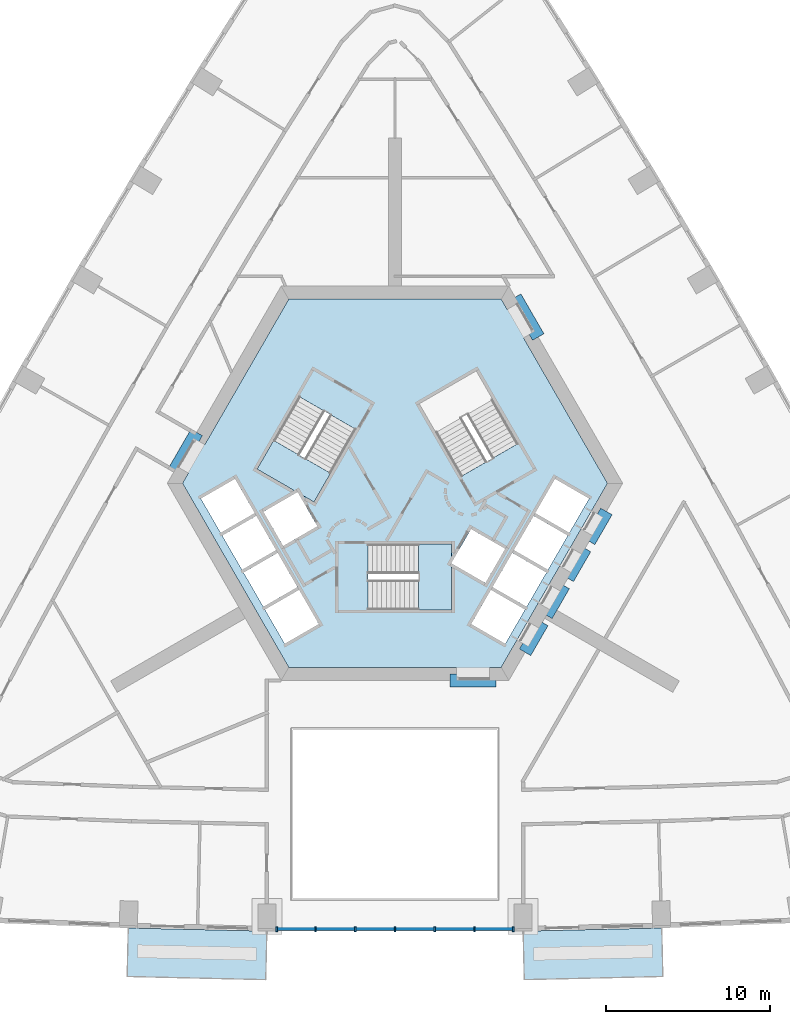
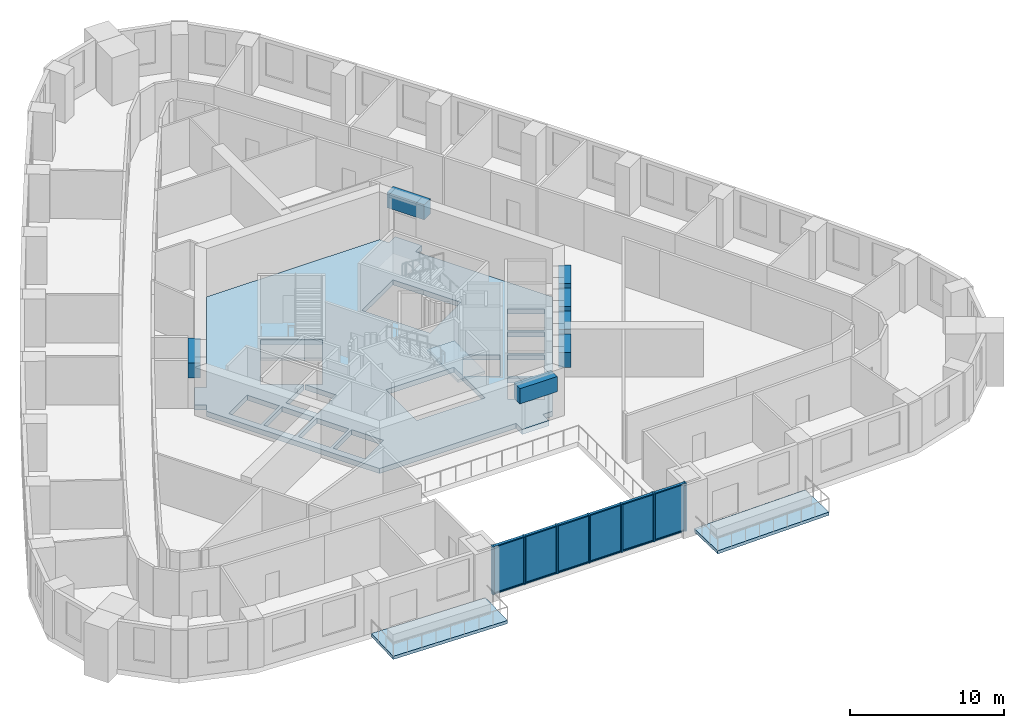
# One storey, part 2 of 12: 19 members, 7 beams, 6 plates, 5 slabs, 3 elements without a shape of their own.
"""IFC4 building model written with IfcOpenShell, lengths in metres."""

from ifc_helpers import new_model, si_unit, direction, frame, origin, origin_2d, place, context, subcontext, project, spatial, polyline, rectangle, outline, extrude, material, layer, layer_set, material_profile, profile_set, type_object, element, aggregate, save


model = new_model("IFC4")

# Units and contexts
model_context = context("Model", 3, precision=1e-05, world=origin(), true_north=direction((0.0, 1.0)))
body_context = subcontext(model_context, "Body", "Model", "MODEL_VIEW")
ifc_project = project(units=[si_unit("LENGTHUNIT", "METRE"), si_unit("AREAUNIT", "SQUARE_METRE"), si_unit("VOLUMEUNIT", "CUBIC_METRE"), si_unit("PLANEANGLEUNIT", "RADIAN"), si_unit("MASSUNIT", "GRAM", prefix="KILO")], contexts=[model_context])

# Site, building, storey
site_placement = place(None, origin())
site = spatial("IfcSite", under=ifc_project, at=site_placement, CompositionType="ELEMENT")
building_placement = place(site_placement, origin())
building = spatial("IfcBuilding", under=site, at=building_placement, Name="Entoto Arch Interchange Tower", CompositionType="ELEMENT")
storey_placement = place(building_placement, frame((0.0, 0.0, 155.0)))
storey = spatial("IfcBuildingStorey", under=building, at=storey_placement, Name="L34", CompositionType="ELEMENT", Elevation=155.0)

# Beams
ifc_material_1 = material(Name="Concrete C50/60", Category="concrete")
ifc_material_profile_1 = material_profile(ifc_material_1, rectangle(XDim=0.800048828125, YDim=1.199951171875, at=origin_2d()))
ifc_profile_set_1 = profile_set([ifc_material_profile_1], Name="Concrete C50/60")
beam_type = type_object("IfcBeamType", Name="Coupling beam RC 800x1200 C50/60", PredefinedType="BEAM", material=ifc_profile_set_1)
for number, where, z_axis, x_axis, name in (
    (1, (8.717041015625, 11.402099609375, 3.0), (-0.500200581029, 0.865909567298, 0.0), (-0.865909567298, -0.500200581029, 0.0), "Coupling beam NE L34"),
    (2, (-12.06689453125, 5.597900390625, 3.0), (-0.500200581029, -0.865909567298, 0.0), (0.865909567298, -0.500200581029, 0.0), "Coupling beam NW L34"),
):
    element("IfcBeam", number, at=place(storey_placement, frame(where, z_axis=z_axis, x_axis=x_axis)), inside=storey, type_object=beam_type, Name=name, PredefinedType="BEAM", context=body_context, shape_type="SweptSolid", body=[
        extrude(rectangle(XDim=0.800048828125, YDim=1.199951171875, at=origin_2d()), origin(), (0.0, 0.0, 1.0), 2.799072265625),
    ])
beam_1_placement = place(storey_placement, frame((3.35009765625, -9.5, 3.0), z_axis=(1.0, 0.0, 0.0), x_axis=(0.0, 1.0, 0.0)))
element("IfcBeam", 3, at=beam_1_placement, inside=storey, type_object=beam_type, Name="Coupling beam S L34", PredefinedType="BEAM", context=body_context, shape_type="SweptSolid", body=[
    extrude(rectangle(XDim=0.800048828125, YDim=1.199951171875, at=origin_2d()), origin(), (0.0, 0.0, 1.0), 2.7998046875),
])
for number, where, z_axis, x_axis, name in (
    (4, (7.9169921875, -7.785888671875, 3.0), (0.500178781653, 0.865922159541, 0.0), (-0.865922159541, 0.500178781653, 0.0), "Coupling beam SE L34"),
    (5, (9.217041015625, -5.534912109375, 3.0), (0.500178781653, 0.865922159541, 0.0), (-0.865922159541, 0.500178781653, 0.0), "Coupling beam SE L34"),
):
    element("IfcBeam", number, at=place(storey_placement, frame(where, z_axis=z_axis, x_axis=x_axis)), inside=storey, type_object=beam_type, Name=name, PredefinedType="BEAM", context=body_context, shape_type="SweptSolid", body=[
        extrude(rectangle(XDim=0.800048828125, YDim=1.199951171875, at=origin_2d()), origin(), (0.0, 0.0, 1.0), 2.099365234375),
    ])
beam_2_placement = place(storey_placement, frame((10.51708984375, -3.282958984375, 3.0), z_axis=(0.500091574638, 0.865972526687, 0.0), x_axis=(-0.865972526687, 0.500091574638, 0.0)))
element("IfcBeam", 6, at=beam_2_placement, inside=storey, type_object=beam_type, Name="Coupling beam SE L34", PredefinedType="BEAM", context=body_context, shape_type="SweptSolid", body=[
    extrude(rectangle(XDim=0.800048828125, YDim=1.199951171875, at=origin_2d()), origin(), (0.0, 0.0, 1.0), 2.09912109375),
])
beam_3_placement = place(storey_placement, frame((11.81689453125, -1.031982421875, 3.0), z_axis=(0.500178781653, 0.865922159541, 0.0), x_axis=(-0.865922159541, 0.500178781653, 0.0)))
element("IfcBeam", 7, at=beam_3_placement, inside=storey, type_object=beam_type, Name="Coupling beam SE L34", PredefinedType="BEAM", context=body_context, shape_type="SweptSolid", body=[
    extrude(rectangle(XDim=0.800048828125, YDim=1.199951171875, at=origin_2d()), origin(), (0.0, 0.0, 1.0), 2.099365234375),
])

# Curtain wall, members
ifc_material_2 = material(Name="Aluminium, anodised", Category="aluminium")
curtain_wall_type = type_object("IfcCurtainWallType", Name="CURTAIN WALL ATRIUM", PredefinedType="NOTDEFINED", material=ifc_material_2)
curtain_wall_placement = place(storey_placement, origin())
curtain_wall = element("IfcCurtainWall", 8, at=curtain_wall_placement, inside=storey, type_object=curtain_wall_type, Name="Atrium glazing S-03 L34", PredefinedType="NOTDEFINED")
ifc_material_profile_2 = material_profile(ifc_material_2, rectangle(XDim=0.300048828125, YDim=0.10009765625, at=origin_2d()))
ifc_profile_set_2 = profile_set([ifc_material_profile_2], Name="Aluminium, anodised")
member_type_1 = type_object("IfcMemberType", Name="MULLION ATRIUM 100x300", PredefinedType="MULLION", material=ifc_profile_set_2)
member_1_placement = place(storey_placement, frame((-7.198974609375, -24.632080078125, 0.0), z_axis=(0.0, 0.0, 1.0), x_axis=(0.0, 1.0, 0.0)))
member_1 = element("IfcMember", 9, at=member_1_placement, type_object=member_type_1, Name="CWA mullion 1", PredefinedType="MULLION", context=body_context, shape_type="SweptSolid", body=[
    extrude(rectangle(XDim=0.300048828125, YDim=0.10009765625, at=origin_2d()), origin(), (0.0, 0.0, 1.0), 3.800048828125),
])
member_2_placement = place(storey_placement, frame((-4.832763671875, -24.632080078125, 0.0), z_axis=(0.0, 0.0, 1.0), x_axis=(0.0, 1.0, 0.0)))
member_2 = element("IfcMember", 10, at=member_2_placement, type_object=member_type_1, Name="CWA mullion 2", PredefinedType="MULLION", context=body_context, shape_type="SweptSolid", body=[
    extrude(rectangle(XDim=0.300048828125, YDim=0.10009765625, at=origin_2d()), origin(), (0.0, 0.0, 1.0), 3.800048828125),
])
member_3_placement = place(storey_placement, frame((-2.416259765625, -24.632080078125, 0.0), z_axis=(0.0, 0.0, 1.0), x_axis=(0.0, 1.0, 0.0)))
member_3 = element("IfcMember", 11, at=member_3_placement, type_object=member_type_1, Name="CWA mullion 3", PredefinedType="MULLION", context=body_context, shape_type="SweptSolid", body=[
    extrude(rectangle(XDim=0.300048828125, YDim=0.10009765625, at=origin_2d()), origin(), (0.0, 0.0, 1.0), 3.800048828125),
])
member_4_placement = place(storey_placement, frame((0.0, -24.632080078125, 0.0), z_axis=(0.0, 0.0, 1.0), x_axis=(0.0, 1.0, 0.0)))
member_4 = element("IfcMember", 12, at=member_4_placement, type_object=member_type_1, Name="CWA mullion 4", PredefinedType="MULLION", context=body_context, shape_type="SweptSolid", body=[
    extrude(rectangle(XDim=0.300048828125, YDim=0.10009765625, at=origin_2d()), origin(), (0.0, 0.0, 1.0), 3.800048828125),
])
member_5_placement = place(storey_placement, frame((2.416259765625, -24.632080078125, 0.0), z_axis=(0.0, 0.0, 1.0), x_axis=(0.0, 1.0, 0.0)))
member_5 = element("IfcMember", 13, at=member_5_placement, type_object=member_type_1, Name="CWA mullion 5", PredefinedType="MULLION", context=body_context, shape_type="SweptSolid", body=[
    extrude(rectangle(XDim=0.300048828125, YDim=0.10009765625, at=origin_2d()), origin(), (0.0, 0.0, 1.0), 3.800048828125),
])
member_6_placement = place(storey_placement, frame((4.832763671875, -24.632080078125, 0.0), z_axis=(0.0, 0.0, 1.0), x_axis=(0.0, 1.0, 0.0)))
member_6 = element("IfcMember", 14, at=member_6_placement, type_object=member_type_1, Name="CWA mullion 6", PredefinedType="MULLION", context=body_context, shape_type="SweptSolid", body=[
    extrude(rectangle(XDim=0.300048828125, YDim=0.10009765625, at=origin_2d()), origin(), (0.0, 0.0, 1.0), 3.800048828125),
])
member_7_placement = place(storey_placement, frame((7.198974609375, -24.632080078125, 0.0), z_axis=(0.0, 0.0, 1.0), x_axis=(0.0, 1.0, 0.0)))
member_7 = element("IfcMember", 15, at=member_7_placement, type_object=member_type_1, Name="CWA mullion 7", PredefinedType="MULLION", context=body_context, shape_type="SweptSolid", body=[
    extrude(rectangle(XDim=0.300048828125, YDim=0.10009765625, at=origin_2d()), origin(), (0.0, 0.0, 1.0), 3.800048828125),
])
ifc_material_profile_3 = material_profile(ifc_material_2, rectangle(XDim=0.199951171875, YDim=0.080078125, at=origin_2d()))
ifc_profile_set_3 = profile_set([ifc_material_profile_3], Name="Aluminium, anodised")
member_type_2 = type_object("IfcMemberType", Name="TRANSOM ATRIUM 80x200", PredefinedType="USERDEFINED", material=ifc_profile_set_3)
member_8_placement = place(storey_placement, frame((-7.14892578125, -24.632080078125, 0.0400390625), z_axis=(1.0, 0.0, 0.0), x_axis=(0.0, 1.0, 0.0)))
member_8 = element("IfcMember", 16, at=member_8_placement, type_object=member_type_2, Name="CWA transom 1.1", ObjectType="TRANSOM", PredefinedType="USERDEFINED", context=body_context, shape_type="SweptSolid", body=[
    extrude(rectangle(XDim=0.199951171875, YDim=0.080078125, at=origin_2d()), origin(), (0.0, 0.0, 1.0), 2.266357421875),
])
member_9_placement = place(storey_placement, frame((-7.14892578125, -24.632080078125, 3.760009765625), z_axis=(1.0, 0.0, 0.0), x_axis=(0.0, 1.0, 0.0)))
member_9 = element("IfcMember", 17, at=member_9_placement, type_object=member_type_2, Name="CWA transom 1.2", ObjectType="TRANSOM", PredefinedType="USERDEFINED", context=body_context, shape_type="SweptSolid", body=[
    extrude(rectangle(XDim=0.199951171875, YDim=0.080078125, at=origin_2d()), origin(), (0.0, 0.0, 1.0), 2.266357421875),
])
member_10_placement = place(storey_placement, frame((-4.78271484375, -24.632080078125, 0.0400390625), z_axis=(1.0, 0.0, 0.0), x_axis=(0.0, 1.0, 0.0)))
member_10 = element("IfcMember", 18, at=member_10_placement, type_object=member_type_2, Name="CWA transom 2.1", ObjectType="TRANSOM", PredefinedType="USERDEFINED", context=body_context, shape_type="SweptSolid", body=[
    extrude(rectangle(XDim=0.199951171875, YDim=0.080078125, at=origin_2d()), origin(), (0.0, 0.0, 1.0), 2.31640625),
])
member_11_placement = place(storey_placement, frame((-4.78271484375, -24.632080078125, 3.760009765625), z_axis=(1.0, 0.0, 0.0), x_axis=(0.0, 1.0, 0.0)))
member_11 = element("IfcMember", 19, at=member_11_placement, type_object=member_type_2, Name="CWA transom 2.2", ObjectType="TRANSOM", PredefinedType="USERDEFINED", context=body_context, shape_type="SweptSolid", body=[
    extrude(rectangle(XDim=0.199951171875, YDim=0.080078125, at=origin_2d()), origin(), (0.0, 0.0, 1.0), 2.31640625),
])
member_12_placement = place(storey_placement, frame((-2.366455078125, -24.632080078125, 0.0400390625), z_axis=(1.0, 0.0, 0.0), x_axis=(0.0, 1.0, 0.0)))
member_12 = element("IfcMember", 20, at=member_12_placement, type_object=member_type_2, Name="CWA transom 3.1", ObjectType="TRANSOM", PredefinedType="USERDEFINED", context=body_context, shape_type="SweptSolid", body=[
    extrude(rectangle(XDim=0.199951171875, YDim=0.080078125, at=origin_2d()), origin(), (0.0, 0.0, 1.0), 2.31640625),
])
member_13_placement = place(storey_placement, frame((-2.366455078125, -24.632080078125, 3.760009765625), z_axis=(1.0, 0.0, 0.0), x_axis=(0.0, 1.0, 0.0)))
member_13 = element("IfcMember", 21, at=member_13_placement, type_object=member_type_2, Name="CWA transom 3.2", ObjectType="TRANSOM", PredefinedType="USERDEFINED", context=body_context, shape_type="SweptSolid", body=[
    extrude(rectangle(XDim=0.199951171875, YDim=0.080078125, at=origin_2d()), origin(), (0.0, 0.0, 1.0), 2.31640625),
])
member_14_placement = place(storey_placement, frame((0.050048828125, -24.632080078125, 0.0400390625), z_axis=(1.0, 0.0, 0.0), x_axis=(0.0, 1.0, 0.0)))
member_14 = element("IfcMember", 22, at=member_14_placement, type_object=member_type_2, Name="CWA transom 4.1", ObjectType="TRANSOM", PredefinedType="USERDEFINED", context=body_context, shape_type="SweptSolid", body=[
    extrude(rectangle(XDim=0.199951171875, YDim=0.080078125, at=origin_2d()), origin(), (0.0, 0.0, 1.0), 2.31640625),
])
member_15_placement = place(storey_placement, frame((0.050048828125, -24.632080078125, 3.760009765625), z_axis=(1.0, 0.0, 0.0), x_axis=(0.0, 1.0, 0.0)))
member_15 = element("IfcMember", 23, at=member_15_placement, type_object=member_type_2, Name="CWA transom 4.2", ObjectType="TRANSOM", PredefinedType="USERDEFINED", context=body_context, shape_type="SweptSolid", body=[
    extrude(rectangle(XDim=0.199951171875, YDim=0.080078125, at=origin_2d()), origin(), (0.0, 0.0, 1.0), 2.31640625),
])
member_16_placement = place(storey_placement, frame((2.46630859375, -24.632080078125, 0.0400390625), z_axis=(1.0, 0.0, 0.0), x_axis=(0.0, 1.0, 0.0)))
member_16 = element("IfcMember", 24, at=member_16_placement, type_object=member_type_2, Name="CWA transom 5.1", ObjectType="TRANSOM", PredefinedType="USERDEFINED", context=body_context, shape_type="SweptSolid", body=[
    extrude(rectangle(XDim=0.199951171875, YDim=0.080078125, at=origin_2d()), origin(), (0.0, 0.0, 1.0), 2.31640625),
])
member_17_placement = place(storey_placement, frame((2.46630859375, -24.632080078125, 3.760009765625), z_axis=(1.0, 0.0, 0.0), x_axis=(0.0, 1.0, 0.0)))
member_17 = element("IfcMember", 25, at=member_17_placement, type_object=member_type_2, Name="CWA transom 5.2", ObjectType="TRANSOM", PredefinedType="USERDEFINED", context=body_context, shape_type="SweptSolid", body=[
    extrude(rectangle(XDim=0.199951171875, YDim=0.080078125, at=origin_2d()), origin(), (0.0, 0.0, 1.0), 2.31640625),
])
member_18_placement = place(storey_placement, frame((4.882568359375, -24.632080078125, 0.0400390625), z_axis=(1.0, 0.0, 0.0), x_axis=(0.0, 1.0, 0.0)))
member_18 = element("IfcMember", 26, at=member_18_placement, type_object=member_type_2, Name="CWA transom 6.1", ObjectType="TRANSOM", PredefinedType="USERDEFINED", context=body_context, shape_type="SweptSolid", body=[
    extrude(rectangle(XDim=0.199951171875, YDim=0.080078125, at=origin_2d()), origin(), (0.0, 0.0, 1.0), 2.266357421875),
])
member_19_placement = place(storey_placement, frame((4.882568359375, -24.632080078125, 3.760009765625), z_axis=(1.0, 0.0, 0.0), x_axis=(0.0, 1.0, 0.0)))
member_19 = element("IfcMember", 27, at=member_19_placement, type_object=member_type_2, Name="CWA transom 6.2", ObjectType="TRANSOM", PredefinedType="USERDEFINED", context=body_context, shape_type="SweptSolid", body=[
    extrude(rectangle(XDim=0.199951171875, YDim=0.080078125, at=origin_2d()), origin(), (0.0, 0.0, 1.0), 2.266357421875),
])

# Slabs
ifc_material_3 = material(Name="Board-marked precast concrete C50/60", Category="concrete")
ifc_layer_1 = layer(ifc_material_3, 0.25)
ifc_layer_set_1 = layer_set([ifc_layer_1], Name="Board-marked precast concrete C50/60")
slab_type_1 = type_object("IfcSlabType", Name="BALCONY DECK PRECAST 250", PredefinedType="FLOOR", material=ifc_layer_set_1)
slab_1_placement = place(storey_placement, frame((0.0, 0.0, -0.25)))
element("IfcSlab", 28, at=slab_1_placement, inside=storey, type_object=slab_type_1, Name="Planted balcony S-02 L34", PredefinedType="FLOOR", context=body_context, shape_type="SweptSolid", body=[
    extrude(outline(polyline([(-16.23388671875, -24.56591796875), (-7.800048828125, -24.757080078125), (-7.866943359375, -27.7060546875), (-16.301025390625, -27.514892578125), (-16.23388671875, -24.56591796875)])), origin(), (0.0, 0.0, 1.0), 0.25),
])
slab_2_placement = place(storey_placement, frame((0.0, 0.0, -0.25)))
element("IfcSlab", 29, at=slab_2_placement, inside=storey, type_object=slab_type_1, Name="Planted balcony S-04 L34", PredefinedType="FLOOR", context=body_context, shape_type="SweptSolid", body=[
    extrude(outline(polyline([(7.800048828125, -24.757080078125), (16.23388671875, -24.56591796875), (16.301025390625, -27.514892578125), (7.866943359375, -27.7060546875), (7.800048828125, -24.757080078125)])), origin(), (0.0, 0.0, 1.0), 0.25),
])
ifc_material_4 = material(Name="Concrete C40/50", Category="concrete")
ifc_layer_2 = layer(ifc_material_4, 0.39990234375)
ifc_layer_set_2 = layer_set([ifc_layer_2], Name="Concrete C40/50")
slab_type_2 = type_object("IfcSlabType", Name="Core floor slab 400 C40/50", PredefinedType="FLOOR", material=ifc_layer_set_2)
slab_3_placement = place(storey_placement, frame((0.0, 0.0, -0.39990234375)))
element("IfcSlab", 30, at=slab_3_placement, inside=storey, type_object=slab_type_2, Name="Core floor slab L34", PredefinedType="FLOOR", context=body_context, shape_type="SweptSolid", body=[
    extrude(outline(polyline([(5.75, -9.5), (3.75, -9.5), (3.75, -8.699951171875), (-6.466064453125, -8.699951171875), (-12.93310546875, 2.5), (-12.574951171875, 3.1201171875), (-13.26708984375, 3.52001953125), (-12.26708984375, 5.251953125), (-11.574951171875, 4.85205078125), (-6.466064453125, 13.699951171875), (6.466064453125, 13.699951171875), (6.823974609375, 13.080078125), (7.51708984375, 13.47998046875), (8.51708984375, 11.748046875), (7.823974609375, 11.347900390625), (12.93310546875, 2.5), (6.466064453125, -8.699951171875), (5.75, -8.699951171875), (5.75, -9.5)]), holes=[polyline([(-5.837890625, -3.988037109375), (-7.916015625, -5.18798828125), (-6.716064453125, -7.26708984375), (-4.637939453125, -6.06689453125), (-5.837890625, -3.988037109375)]), polyline([(-5.93798828125, -3.81494140625), (-7.137939453125, -1.737060546875), (-9.216064453125, -2.93701171875), (-8.01611328125, -5.014892578125), (-5.93798828125, -3.81494140625)]), polyline([(5.5048828125, -3.56494140625), (6.705078125, -1.487060546875), (4.626953125, -0.287109375), (3.449951171875, -2.324951171875), (3.449951171875, -1.199951171875), (-1.64990234375, -1.199951171875), (-1.64990234375, -5.199951171875), (3.449951171875, -5.199951171875), (3.449951171875, -2.3779296875), (5.5048828125, -3.56494140625)]), polyline([(-8.43798828125, 0.514892578125), (-10.51611328125, -0.68505859375), (-9.31591796875, -2.762939453125), (-7.238037109375, -1.56298828125), (-8.43798828125, 0.514892578125)]), polyline([(-4.72705078125, -0.113037109375), (-5.904052734375, 1.925048828125), (-4.928955078125, 1.362060546875), (-2.37890625, 5.779052734375), (-5.843017578125, 7.779052734375), (-8.39306640625, 3.362060546875), (-5.949951171875, 1.951904296875), (-8.0048828125, 0.764892578125), (-6.804931640625, -1.31298828125), (-4.72705078125, -0.113037109375)]), polyline([(-8.5380859375, 0.68798828125), (-9.738037109375, 2.76708984375), (-11.81591796875, 1.56689453125), (-10.615966796875, -0.511962890625), (-8.5380859375, 0.68798828125)]), polyline([(5.837890625, -3.988037109375), (4.637939453125, -6.06689453125), (6.716064453125, -7.26708984375), (7.916015625, -5.18798828125), (5.837890625, -3.988037109375)]), polyline([(7.137939453125, -1.737060546875), (5.93798828125, -3.81494140625), (8.01611328125, -5.014892578125), (9.216064453125, -2.93701171875), (7.137939453125, -1.737060546875)]), polyline([(8.43798828125, 0.514892578125), (7.238037109375, -1.56298828125), (9.31591796875, -2.762939453125), (10.51611328125, -0.68505859375), (8.43798828125, 0.514892578125)]), polyline([(9.738037109375, 2.76708984375), (8.5380859375, 0.68798828125), (10.615966796875, -0.511962890625), (11.81591796875, 1.56689453125), (9.738037109375, 2.76708984375)]), polyline([(4.029052734375, 2.9208984375), (7.492919921875, 4.9208984375), (4.943115234375, 9.337890625), (1.47900390625, 7.337890625), (4.029052734375, 2.9208984375)])]), origin(), (0.0, 0.0, 1.0), 0.39990234375),
])

# Stair, slab
stair_type = type_object("IfcStairType", Name="EXIT STAIR RC 1800", PredefinedType="HALF_TURN_STAIR", material=ifc_material_4)
stair_1_placement = place(storey_placement, origin())
stair_1 = element("IfcStair", 31, at=stair_1_placement, inside=storey, type_object=stair_type, Name="L34 Exit stair S", PredefinedType="HALF_TURN_STAIR")
ifc_layer_3 = layer(ifc_material_4, 0.199951171875)
ifc_layer_set_3 = layer_set([ifc_layer_3], Name="Concrete C40/50")
slab_type_3 = type_object("IfcSlabType", Name="EXIT STAIR LANDING RC 200", PredefinedType="LANDING", material=ifc_layer_set_3)
slab_4_placement = place(storey_placement, frame((0.0, 0.0, 1.89990234375)))
slab_4 = element("IfcSlab", 32, at=slab_4_placement, type_object=slab_type_3, Name="ST-S landing 1", PredefinedType="LANDING", context=body_context, shape_type="SweptSolid", body=[
    extrude(outline(polyline([(1.429931640625, -5.199951171875), (3.449951171875, -5.199951171875), (3.449951171875, -1.199951171875), (1.429931640625, -1.199951171875), (1.429931640625, -5.199951171875)])), origin(), (0.0, 0.0, 1.0), 0.2001953125),
])
aggregate(stair_1, [slab_4])

stair_2_placement = place(storey_placement, origin())
stair_2 = element("IfcStair", 33, at=stair_2_placement, inside=storey, type_object=stair_type, Name="L34 Exit stair NW", PredefinedType="HALF_TURN_STAIR")
slab_5_placement = place(storey_placement, frame((0.0, 0.0, 1.89990234375)))
slab_5 = element("IfcSlab", 34, at=slab_5_placement, type_object=slab_type_3, Name="ST-NW landing 1", PredefinedType="LANDING", context=body_context, shape_type="SweptSolid", body=[
    extrude(outline(polyline([(-7.38330078125, 5.111572265625), (-8.393310546875, 3.3623046875), (-4.92919921875, 1.3623046875), (-3.919189453125, 3.111572265625), (-7.38330078125, 5.111572265625)])), origin(), (0.0, 0.0, 1.0), 0.2001953125),
])
aggregate(stair_2, [slab_5])

# Plate
ifc_material_5 = material(Name="Clear glass, low-e double glazed", Category="glass")
ifc_layer_4 = layer(ifc_material_5, 0.031982421875)
ifc_layer_set_4 = layer_set([ifc_layer_4], Name="Clear glass, low-e double glazed")
plate_type = type_object("IfcPlateType", Name="GLAZING PANEL ATRIUM 32", PredefinedType="CURTAIN_PANEL", material=ifc_layer_set_4)
plate_1_placement = place(storey_placement, frame((-6.015869140625, -24.632080078125, 0.080078125), z_axis=(0.0, 0.0, 1.0), x_axis=(1.0, 0.0, 0.0)))
plate_1 = element("IfcPlate", 35, at=plate_1_placement, type_object=plate_type, Name="CWA panel 1.1", PredefinedType="CURTAIN_PANEL", context=body_context, shape_type="SweptSolid", body=[
    extrude(rectangle(XDim=2.266357421875, YDim=0.031982421875, at=origin_2d()), origin(), (0.0, 0.0, 1.0), 3.639892578125),
])

plate_2_placement = place(storey_placement, frame((-3.62451171875, -24.632080078125, 0.080078125), z_axis=(0.0, 0.0, 1.0), x_axis=(1.0, 0.0, 0.0)))
plate_2 = element("IfcPlate", 36, at=plate_2_placement, type_object=plate_type, Name="CWA panel 2.1", PredefinedType="CURTAIN_PANEL", context=body_context, shape_type="SweptSolid", body=[
    extrude(rectangle(XDim=2.31640625, YDim=0.031982421875, at=origin_2d()), origin(), (0.0, 0.0, 1.0), 3.639892578125),
])

plate_3_placement = place(storey_placement, frame((-1.208251953125, -24.632080078125, 0.080078125), z_axis=(0.0, 0.0, 1.0), x_axis=(1.0, 0.0, 0.0)))
plate_3 = element("IfcPlate", 37, at=plate_3_placement, type_object=plate_type, Name="CWA panel 3.1", PredefinedType="CURTAIN_PANEL", context=body_context, shape_type="SweptSolid", body=[
    extrude(rectangle(XDim=2.31640625, YDim=0.031982421875, at=origin_2d()), origin(), (0.0, 0.0, 1.0), 3.639892578125),
])

plate_4_placement = place(storey_placement, frame((1.208251953125, -24.632080078125, 0.080078125), z_axis=(0.0, 0.0, 1.0), x_axis=(1.0, 0.0, 0.0)))
plate_4 = element("IfcPlate", 38, at=plate_4_placement, type_object=plate_type, Name="CWA panel 4.1", PredefinedType="CURTAIN_PANEL", context=body_context, shape_type="SweptSolid", body=[
    extrude(rectangle(XDim=2.31640625, YDim=0.031982421875, at=origin_2d()), origin(), (0.0, 0.0, 1.0), 3.639892578125),
])

plate_5_placement = place(storey_placement, frame((3.62451171875, -24.632080078125, 0.080078125), z_axis=(0.0, 0.0, 1.0), x_axis=(1.0, 0.0, 0.0)))
plate_5 = element("IfcPlate", 39, at=plate_5_placement, type_object=plate_type, Name="CWA panel 5.1", PredefinedType="CURTAIN_PANEL", context=body_context, shape_type="SweptSolid", body=[
    extrude(rectangle(XDim=2.31640625, YDim=0.031982421875, at=origin_2d()), origin(), (0.0, 0.0, 1.0), 3.639892578125),
])

plate_6_placement = place(storey_placement, frame((6.015869140625, -24.632080078125, 0.080078125), z_axis=(0.0, 0.0, 1.0), x_axis=(1.0, 0.0, 0.0)))
plate_6 = element("IfcPlate", 40, at=plate_6_placement, type_object=plate_type, Name="CWA panel 6.1", PredefinedType="CURTAIN_PANEL", context=body_context, shape_type="SweptSolid", body=[
    extrude(rectangle(XDim=2.266357421875, YDim=0.031982421875, at=origin_2d()), origin(), (0.0, 0.0, 1.0), 3.639892578125),
])

aggregate(curtain_wall, [member_1, member_2, member_3, member_4, member_5, member_6, member_7, member_8, member_9, plate_1, member_10, member_11, plate_2, member_12, member_13, plate_3, member_14, member_15, plate_4, member_16, member_17, plate_5, member_18, member_19, plate_6])

save(model, "model.ifc")
